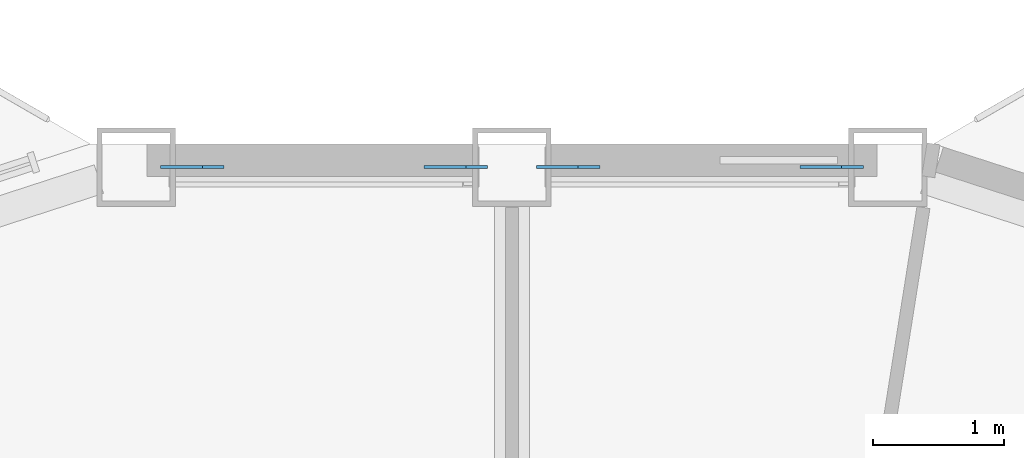
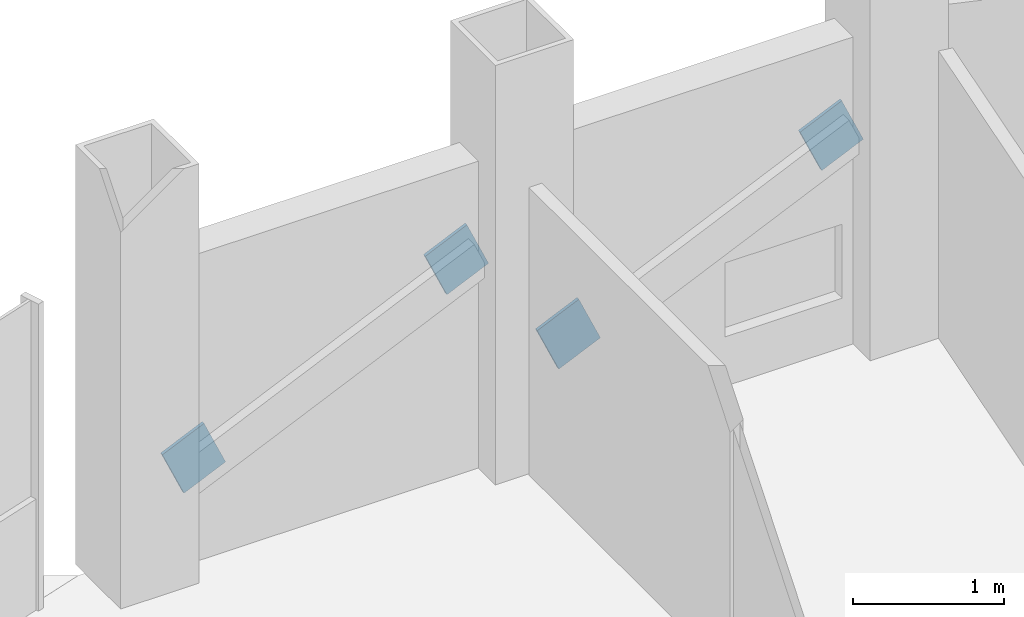
# One storey, part 21 of 26: 4 discrete accessories.
"""IFC4 building model written with IfcOpenShell, lengths in metres."""

from ifc_helpers import new_model, si_unit, direction, frame, origin, origin_2d, place, context, subcontext, project, spatial, rectangle, extrude, material, material_profile, profile_set, type_object, element, save


model = new_model("IFC4")

# Units and contexts
model_context = context("Model", 3, precision=1e-05, world=origin(), true_north=direction((0.0, 1.0)))
body_context = subcontext(model_context, "Body", "Model", "MODEL_VIEW")
ifc_project = project(units=[si_unit("LENGTHUNIT", "METRE"), si_unit("AREAUNIT", "SQUARE_METRE"), si_unit("VOLUMEUNIT", "CUBIC_METRE"), si_unit("PLANEANGLEUNIT", "RADIAN"), si_unit("MASSUNIT", "GRAM", prefix="KILO")], contexts=[model_context])

# Site, building, storey
site_placement = place(None, origin())
site = spatial("IfcSite", under=ifc_project, at=site_placement, CompositionType="ELEMENT")
building_placement = place(site_placement, origin())
building = spatial("IfcBuilding", under=site, at=building_placement, Name="Cormorant Prow Tower", CompositionType="ELEMENT")
storey_placement = place(building_placement, frame((0.0, 0.0, 329.0)))
storey = spatial("IfcBuildingStorey", under=building, at=storey_placement, Name="L73", CompositionType="ELEMENT", Elevation=329.0)

# Discrete accessories
ifc_material = material(Name="Structural steel ASTM A500 Gr C", Category="steel")
ifc_material_profile = material_profile(ifc_material, rectangle(XDim=0.02490234375, YDim=0.405029296875, at=origin_2d()), Name="Gusset plate 25x405")
ifc_profile_set = profile_set([ifc_material_profile], Name="Structural steel ASTM A500 Gr C")
discrete_accessory_type = type_object("IfcDiscreteAccessoryType", Name="Gusset plate 25x405", PredefinedType="BRACKET", material=ifc_profile_set)
discrete_accessory_1_placement = place(storey_placement, frame((0.588623046875, 31.676025390625, 0.86376953125), z_axis=(-0.912599106234, 0.0, -0.408855562884), x_axis=(0.0, -1.0, 0.0)))
element("IfcDiscreteAccessory", 1, at=discrete_accessory_1_placement, inside=storey, type_object=discrete_accessory_type, Name="Gusset plate GP3 L73.N00.g0", PredefinedType="BRACKET", context=body_context, shape_type="SweptSolid", body=[
    extrude(rectangle(XDim=0.02490234375, YDim=0.405029296875, at=origin_2d()), origin(), (0.0, 0.0, 1.0), 0.349853515625),
])
discrete_accessory_2_placement = place(storey_placement, frame((2.28515625, 31.676025390625, 1.6240234375), z_axis=(0.912338666822, 0.0, 0.409436389468), x_axis=(0.0, 1.0, 0.0)))
element("IfcDiscreteAccessory", 2, at=discrete_accessory_2_placement, inside=storey, type_object=discrete_accessory_type, Name="Gusset plate GP3 L73.N00.g1", PredefinedType="BRACKET", context=body_context, shape_type="SweptSolid", body=[
    extrude(rectangle(XDim=0.02490234375, YDim=0.405029296875, at=origin_2d()), origin(), (0.0, 0.0, 1.0), 0.35009765625),
])
discrete_accessory_3_placement = place(storey_placement, frame((-2.28515625, 31.676025390625, 0.86376953125), z_axis=(-0.912599106234, 0.0, -0.408855562884), x_axis=(0.0, -1.0, 0.0)))
element("IfcDiscreteAccessory", 3, at=discrete_accessory_3_placement, inside=storey, type_object=discrete_accessory_type, Name="Gusset plate GP3 L73.N01.g0", PredefinedType="BRACKET", context=body_context, shape_type="SweptSolid", body=[
    extrude(rectangle(XDim=0.02490234375, YDim=0.405029296875, at=origin_2d()), origin(), (0.0, 0.0, 1.0), 0.349853515625),
])
discrete_accessory_4_placement = place(storey_placement, frame((-0.588623046875, 31.676025390625, 1.6240234375), z_axis=(0.912338666822, 0.0, 0.409436389468), x_axis=(0.0, 1.0, 0.0)))
element("IfcDiscreteAccessory", 4, at=discrete_accessory_4_placement, inside=storey, type_object=discrete_accessory_type, Name="Gusset plate GP3 L73.N01.g1", PredefinedType="BRACKET", context=body_context, shape_type="SweptSolid", body=[
    extrude(rectangle(XDim=0.02490234375, YDim=0.405029296875, at=origin_2d()), origin(), (0.0, 0.0, 1.0), 0.35009765625),
])

save(model, "model.ifc")
